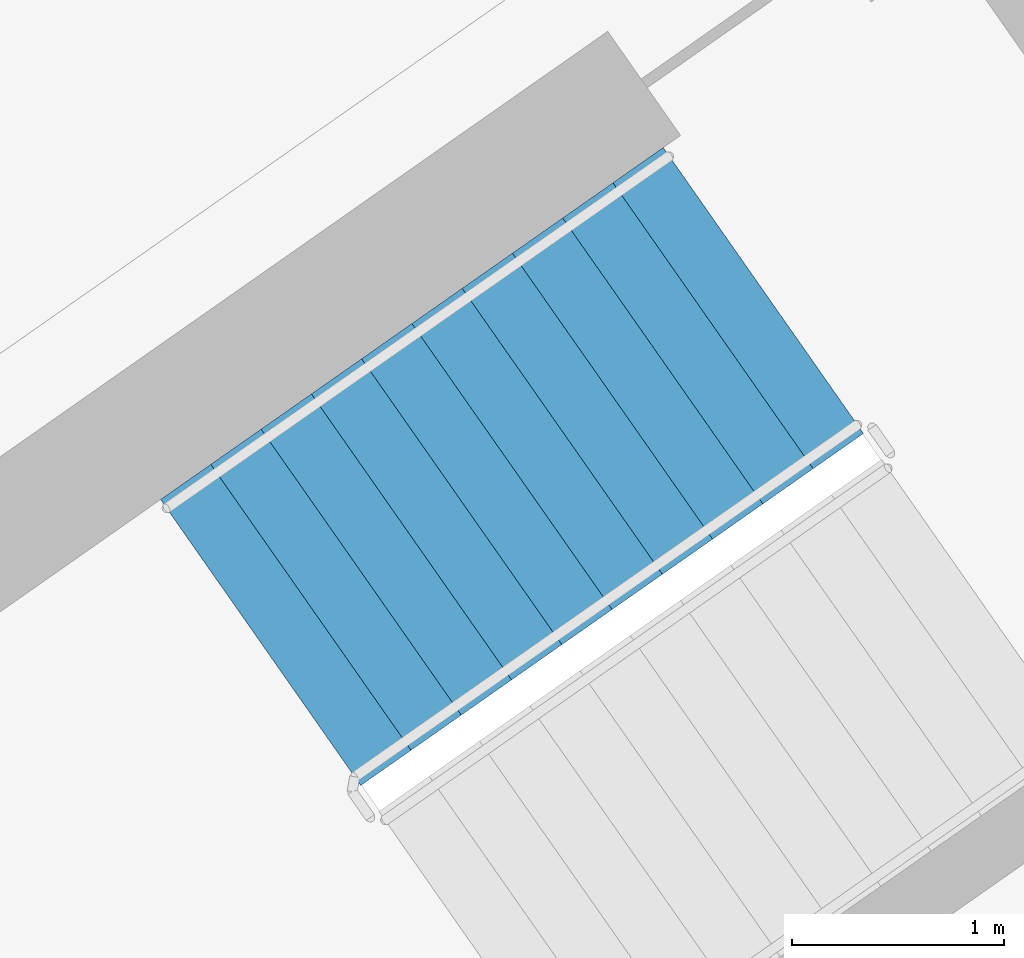
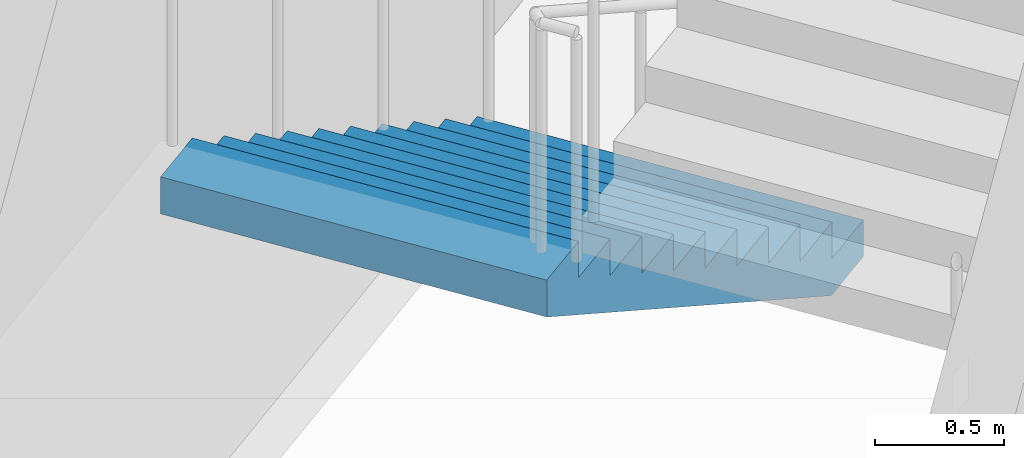
# One storey, part 15 of 27: 1 stair flight, 1 element without a shape of its own.
"""IFC4 building model written with IfcOpenShell, lengths in metres."""

from ifc_helpers import new_model, si_unit, direction, frame, origin, place, context, subcontext, project, spatial, faceted_brep, material, type_object, element, aggregate, save


model = new_model("IFC4")

# Units and contexts
model_context = context("Model", 3, precision=1e-05, world=origin(), true_north=direction((0.0, 1.0)))
body_context = subcontext(model_context, "Body", "Model", "MODEL_VIEW")
ifc_project = project(units=[si_unit("LENGTHUNIT", "METRE"), si_unit("AREAUNIT", "SQUARE_METRE"), si_unit("VOLUMEUNIT", "CUBIC_METRE"), si_unit("PLANEANGLEUNIT", "RADIAN"), si_unit("MASSUNIT", "GRAM", prefix="KILO")], contexts=[model_context])

# Site, building, storey
site_placement = place(None, origin())
site = spatial("IfcSite", under=ifc_project, at=site_placement, CompositionType="ELEMENT")
building_placement = place(site_placement, origin())
building = spatial("IfcBuilding", under=site, at=building_placement, Name="Qamariyya Broadcast Tower", CompositionType="ELEMENT")
storey_placement = place(building_placement, frame((0.0, 0.0, 280.89990234375)))
storey = spatial("IfcBuildingStorey", under=building, at=storey_placement, Name="L68", CompositionType="ELEMENT", Elevation=280.89990234375)

# Stair, stair flight
ifc_material = material(Name="Concrete C50/60", Category="concrete")
stair_type = type_object("IfcStairType", Name="Exit stair 22 risers of 173 mm", PredefinedType="HALF_TURN_STAIR", material=ifc_material)
stair_placement = place(storey_placement, origin())
stair = element("IfcStair", 1, at=stair_placement, inside=storey, type_object=stair_type, Name="L68 Stair E2", PredefinedType="HALF_TURN_STAIR")
stair_flight_type = type_object("IfcStairFlightType", Name="Exit stair flight 11 risers of 173 mm", PredefinedType="STRAIGHT", material=ifc_material)
stair_flight_placement = place(storey_placement, frame((40.558837890625, -47.685302734375, 0.0), z_axis=(0.0, 0.0, 1.0), x_axis=(-0.819152044289, -0.573576436351, 0.0)))
stair_flight = element("IfcStairFlight", 2, at=stair_flight_placement, type_object=stair_flight_type, Name="ST-E2 flight 1", NumberOfRisers=11, NumberOfTreads=10, PredefinedType="STRAIGHT", RiserHeight=0.172727273, TreadLength=0.29, context=body_context, shape_type="Brep", body=[
    faceted_brep([(0.0, 0.824951171875, 0.0), (0.0, 0.824951171875, 0.172607421875), (0.2900390625, 0.824951171875, 0.172607421875), (0.2900390625, 0.824951171875, 0.345458984375), (0.580078125, 0.824951171875, 0.345458984375), (0.580078125, 0.824951171875, 0.51806640625), (0.8701171875, 0.824951171875, 0.51806640625), (0.8701171875, 0.824951171875, 0.69091796875), (1.159912109375, 0.824951171875, 0.69091796875), (1.159912109375, 0.824951171875, 0.863525390625), (1.449951171875, 0.824951171875, 0.863525390625), (1.449951171875, 0.824951171875, 1.036376953125), (1.739990234375, 0.824951171875, 1.036376953125), (1.739990234375, 0.824951171875, 1.208984375), (2.030029296875, 0.824951171875, 1.208984375), (2.030029296875, 0.824951171875, 1.3818359375), (2.320068359375, 0.824951171875, 1.3818359375), (2.320068359375, 0.824951171875, 1.554443359375), (2.610107421875, 0.824951171875, 1.554443359375), (2.610107421875, 0.824951171875, 1.727294921875), (2.89990234375, 0.824951171875, 1.727294921875), (2.89990234375, 0.824951171875, 1.552734375), (0.29296875, 0.824951171875, 0.0), (0.29296875, -0.824951171875, 0.0), (2.89990234375, -0.824951171875, 1.552734375), (2.89990234375, -0.824951171875, 1.727294921875), (2.610107421875, -0.824951171875, 1.727294921875), (2.610107421875, -0.824951171875, 1.554443359375), (2.320068359375, -0.824951171875, 1.554443359375), (2.320068359375, -0.824951171875, 1.3818359375), (2.030029296875, -0.824951171875, 1.3818359375), (2.030029296875, -0.824951171875, 1.208984375), (1.739990234375, -0.824951171875, 1.208984375), (1.739990234375, -0.824951171875, 1.036376953125), (1.449951171875, -0.824951171875, 1.036376953125), (1.449951171875, -0.824951171875, 0.863525390625), (1.159912109375, -0.824951171875, 0.863525390625), (1.159912109375, -0.824951171875, 0.69091796875), (0.8701171875, -0.824951171875, 0.69091796875), (0.8701171875, -0.824951171875, 0.51806640625), (0.580078125, -0.824951171875, 0.51806640625), (0.580078125, -0.824951171875, 0.345458984375), (0.2900390625, -0.824951171875, 0.345458984375), (0.2900390625, -0.824951171875, 0.172607421875), (0.0, -0.824951171875, 0.172607421875), (0.0, -0.824951171875, 0.0), (0.0, 0.10009765625, 0.0), (0.0, 0.086669921875, 0.0), (0.0, 0.0732421875, 0.0), (0.0, 0.06005859375, 0.0), (0.0, 0.046630859375, 0.0), (0.0, 0.033447265625, 0.0), (0.0, 0.02001953125, 0.0), (0.0, 0.006591796875, 0.0), (0.0, -0.006591796875, 0.0), (0.0, -0.02001953125, 0.0), (0.0, -0.033447265625, 0.0), (0.0, -0.046630859375, 0.0), (0.0, -0.06005859375, 0.0), (0.0, -0.0732421875, 0.0), (0.0, -0.086669921875, 0.0), (0.0, -0.10009765625, 0.0), (0.0, -0.10009765625, 0.172607421875), (0.0, -0.086669921875, 0.172607421875), (0.0, -0.0732421875, 0.172607421875), (0.0, -0.06005859375, 0.172607421875), (0.0, -0.046630859375, 0.172607421875), (0.0, -0.033447265625, 0.172607421875), (0.0, -0.02001953125, 0.172607421875), (0.0, -0.006591796875, 0.172607421875), (0.0, 0.006591796875, 0.172607421875), (0.0, 0.02001953125, 0.172607421875), (0.0, 0.033447265625, 0.172607421875), (0.0, 0.046630859375, 0.172607421875), (0.0, 0.06005859375, 0.172607421875), (0.0, 0.0732421875, 0.172607421875), (0.0, 0.086669921875, 0.172607421875), (0.0, 0.10009765625, 0.172607421875), (0.2900390625, -0.10009765625, 0.172607421875), (0.2900390625, -0.086669921875, 0.172607421875), (0.2900390625, -0.0732421875, 0.172607421875), (0.2900390625, -0.06005859375, 0.172607421875), (0.2900390625, -0.046630859375, 0.172607421875), (0.2900390625, -0.033447265625, 0.172607421875), (0.2900390625, -0.02001953125, 0.172607421875), (0.2900390625, -0.006591796875, 0.172607421875), (0.2900390625, 0.006591796875, 0.172607421875), (0.2900390625, 0.02001953125, 0.172607421875), (0.2900390625, 0.033447265625, 0.172607421875), (0.2900390625, 0.046630859375, 0.172607421875), (0.2900390625, 0.06005859375, 0.172607421875), (0.2900390625, 0.0732421875, 0.172607421875), (0.2900390625, 0.086669921875, 0.172607421875), (0.2900390625, 0.10009765625, 0.172607421875), (0.2900390625, -0.10009765625, 0.345458984375), (0.2900390625, -0.086669921875, 0.345458984375), (0.2900390625, -0.0732421875, 0.345458984375), (0.2900390625, -0.06005859375, 0.345458984375), (0.2900390625, -0.046630859375, 0.345458984375), (0.2900390625, -0.033447265625, 0.345458984375), (0.2900390625, -0.02001953125, 0.345458984375), (0.2900390625, -0.006591796875, 0.345458984375), (0.2900390625, 0.006591796875, 0.345458984375), (0.2900390625, 0.02001953125, 0.345458984375), (0.2900390625, 0.033447265625, 0.345458984375), (0.2900390625, 0.046630859375, 0.345458984375), (0.2900390625, 0.06005859375, 0.345458984375), (0.2900390625, 0.0732421875, 0.345458984375), (0.2900390625, 0.086669921875, 0.345458984375), (0.2900390625, 0.10009765625, 0.345458984375), (0.580078125, -0.10009765625, 0.345458984375), (0.580078125, -0.086669921875, 0.345458984375), (0.580078125, -0.0732421875, 0.345458984375), (0.580078125, -0.06005859375, 0.345458984375), (0.580078125, -0.046630859375, 0.345458984375), (0.580078125, -0.033447265625, 0.345458984375), (0.580078125, -0.02001953125, 0.345458984375), (0.580078125, -0.006591796875, 0.345458984375), (0.580078125, 0.006591796875, 0.345458984375), (0.580078125, 0.02001953125, 0.345458984375), (0.580078125, 0.033447265625, 0.345458984375), (0.580078125, 0.046630859375, 0.345458984375), (0.580078125, 0.06005859375, 0.345458984375), (0.580078125, 0.0732421875, 0.345458984375), (0.580078125, 0.086669921875, 0.345458984375), (0.580078125, 0.10009765625, 0.345458984375), (0.580078125, -0.10009765625, 0.51806640625), (0.580078125, -0.086669921875, 0.51806640625), (0.580078125, -0.0732421875, 0.51806640625), (0.580078125, -0.06005859375, 0.51806640625), (0.580078125, -0.046630859375, 0.51806640625), (0.580078125, -0.033447265625, 0.51806640625), (0.580078125, -0.02001953125, 0.51806640625), (0.580078125, -0.006591796875, 0.51806640625), (0.580078125, 0.006591796875, 0.51806640625), (0.580078125, 0.02001953125, 0.51806640625), (0.580078125, 0.033447265625, 0.51806640625), (0.580078125, 0.046630859375, 0.51806640625), (0.580078125, 0.06005859375, 0.51806640625), (0.580078125, 0.0732421875, 0.51806640625), (0.580078125, 0.086669921875, 0.51806640625), (0.580078125, 0.10009765625, 0.51806640625), (0.8701171875, -0.10009765625, 0.51806640625), (0.8701171875, -0.086669921875, 0.51806640625), (0.8701171875, -0.0732421875, 0.51806640625), (0.8701171875, -0.06005859375, 0.51806640625), (0.8701171875, -0.046630859375, 0.51806640625), (0.8701171875, -0.033447265625, 0.51806640625), (0.8701171875, -0.02001953125, 0.51806640625), (0.8701171875, -0.006591796875, 0.51806640625), (0.8701171875, 0.006591796875, 0.51806640625), (0.8701171875, 0.02001953125, 0.51806640625), (0.8701171875, 0.033447265625, 0.51806640625), (0.8701171875, 0.046630859375, 0.51806640625), (0.8701171875, 0.06005859375, 0.51806640625), (0.8701171875, 0.0732421875, 0.51806640625), (0.8701171875, 0.086669921875, 0.51806640625), (0.8701171875, 0.10009765625, 0.51806640625), (0.8701171875, -0.10009765625, 0.69091796875), (0.8701171875, -0.086669921875, 0.69091796875), (0.8701171875, -0.0732421875, 0.69091796875), (0.8701171875, -0.06005859375, 0.69091796875), (0.8701171875, -0.046630859375, 0.69091796875), (0.8701171875, -0.033447265625, 0.69091796875), (0.8701171875, -0.02001953125, 0.69091796875), (0.8701171875, -0.006591796875, 0.69091796875), (0.8701171875, 0.006591796875, 0.69091796875), (0.8701171875, 0.02001953125, 0.69091796875), (0.8701171875, 0.033447265625, 0.69091796875), (0.8701171875, 0.046630859375, 0.69091796875), (0.8701171875, 0.06005859375, 0.69091796875), (0.8701171875, 0.0732421875, 0.69091796875), (0.8701171875, 0.086669921875, 0.69091796875), (0.8701171875, 0.10009765625, 0.69091796875), (1.159912109375, -0.10009765625, 0.69091796875), (1.159912109375, -0.086669921875, 0.69091796875), (1.159912109375, -0.0732421875, 0.69091796875), (1.159912109375, -0.06005859375, 0.69091796875), (1.159912109375, -0.046630859375, 0.69091796875), (1.159912109375, -0.033447265625, 0.69091796875), (1.159912109375, -0.02001953125, 0.69091796875), (1.159912109375, -0.006591796875, 0.69091796875), (1.159912109375, 0.006591796875, 0.69091796875), (1.159912109375, 0.02001953125, 0.69091796875), (1.159912109375, 0.033447265625, 0.69091796875), (1.159912109375, 0.046630859375, 0.69091796875), (1.159912109375, 0.06005859375, 0.69091796875), (1.159912109375, 0.0732421875, 0.69091796875), (1.159912109375, 0.086669921875, 0.69091796875), (1.159912109375, 0.10009765625, 0.69091796875), (1.159912109375, -0.10009765625, 0.863525390625), (1.159912109375, -0.086669921875, 0.863525390625), (1.159912109375, -0.0732421875, 0.863525390625), (1.159912109375, -0.06005859375, 0.863525390625), (1.159912109375, -0.046630859375, 0.863525390625), (1.159912109375, -0.033447265625, 0.863525390625), (1.159912109375, -0.02001953125, 0.863525390625), (1.159912109375, -0.006591796875, 0.863525390625), (1.159912109375, 0.006591796875, 0.863525390625), (1.159912109375, 0.02001953125, 0.863525390625), (1.159912109375, 0.033447265625, 0.863525390625), (1.159912109375, 0.046630859375, 0.863525390625), (1.159912109375, 0.06005859375, 0.863525390625), (1.159912109375, 0.0732421875, 0.863525390625), (1.159912109375, 0.086669921875, 0.863525390625), (1.159912109375, 0.10009765625, 0.863525390625), (1.449951171875, -0.10009765625, 0.863525390625), (1.449951171875, -0.086669921875, 0.863525390625), (1.449951171875, -0.0732421875, 0.863525390625), (1.449951171875, -0.06005859375, 0.863525390625), (1.449951171875, -0.046630859375, 0.863525390625), (1.449951171875, -0.033447265625, 0.863525390625), (1.449951171875, -0.02001953125, 0.863525390625), (1.449951171875, -0.006591796875, 0.863525390625), (1.449951171875, 0.006591796875, 0.863525390625), (1.449951171875, 0.02001953125, 0.863525390625), (1.449951171875, 0.033447265625, 0.863525390625), (1.449951171875, 0.046630859375, 0.863525390625), (1.449951171875, 0.06005859375, 0.863525390625), (1.449951171875, 0.0732421875, 0.863525390625), (1.449951171875, 0.086669921875, 0.863525390625), (1.449951171875, 0.10009765625, 0.863525390625), (1.449951171875, -0.10009765625, 1.036376953125), (1.449951171875, -0.086669921875, 1.036376953125), (1.449951171875, -0.0732421875, 1.036376953125), (1.449951171875, -0.06005859375, 1.036376953125), (1.449951171875, -0.046630859375, 1.036376953125), (1.449951171875, -0.033447265625, 1.036376953125), (1.449951171875, -0.02001953125, 1.036376953125), (1.449951171875, -0.006591796875, 1.036376953125), (1.449951171875, 0.006591796875, 1.036376953125), (1.449951171875, 0.02001953125, 1.036376953125), (1.449951171875, 0.033447265625, 1.036376953125), (1.449951171875, 0.046630859375, 1.036376953125), (1.449951171875, 0.06005859375, 1.036376953125), (1.449951171875, 0.0732421875, 1.036376953125), (1.449951171875, 0.086669921875, 1.036376953125), (1.449951171875, 0.10009765625, 1.036376953125), (1.739990234375, -0.10009765625, 1.036376953125), (1.739990234375, -0.086669921875, 1.036376953125), (1.739990234375, -0.0732421875, 1.036376953125), (1.739990234375, -0.06005859375, 1.036376953125), (1.739990234375, -0.046630859375, 1.036376953125), (1.739990234375, -0.033447265625, 1.036376953125), (1.739990234375, -0.02001953125, 1.036376953125), (1.739990234375, -0.006591796875, 1.036376953125), (1.739990234375, 0.006591796875, 1.036376953125), (1.739990234375, 0.02001953125, 1.036376953125), (1.739990234375, 0.033447265625, 1.036376953125), (1.739990234375, 0.046630859375, 1.036376953125), (1.739990234375, 0.06005859375, 1.036376953125), (1.739990234375, 0.0732421875, 1.036376953125), (1.739990234375, 0.086669921875, 1.036376953125), (1.739990234375, 0.10009765625, 1.036376953125), (1.739990234375, -0.10009765625, 1.208984375), (1.739990234375, -0.086669921875, 1.208984375), (1.739990234375, -0.0732421875, 1.208984375), (1.739990234375, -0.06005859375, 1.208984375), (1.739990234375, -0.046630859375, 1.208984375), (1.739990234375, -0.033447265625, 1.208984375), (1.739990234375, -0.02001953125, 1.208984375), (1.739990234375, -0.006591796875, 1.208984375), (1.739990234375, 0.006591796875, 1.208984375), (1.739990234375, 0.02001953125, 1.208984375), (1.739990234375, 0.033447265625, 1.208984375), (1.739990234375, 0.046630859375, 1.208984375), (1.739990234375, 0.06005859375, 1.208984375), (1.739990234375, 0.0732421875, 1.208984375), (1.739990234375, 0.086669921875, 1.208984375), (1.739990234375, 0.10009765625, 1.208984375), (2.030029296875, -0.10009765625, 1.208984375), (2.030029296875, -0.086669921875, 1.208984375), (2.030029296875, -0.0732421875, 1.208984375), (2.030029296875, -0.06005859375, 1.208984375), (2.030029296875, -0.046630859375, 1.208984375), (2.030029296875, -0.033447265625, 1.208984375), (2.030029296875, -0.02001953125, 1.208984375), (2.030029296875, -0.006591796875, 1.208984375), (2.030029296875, 0.006591796875, 1.208984375), (2.030029296875, 0.02001953125, 1.208984375), (2.030029296875, 0.033447265625, 1.208984375), (2.030029296875, 0.046630859375, 1.208984375), (2.030029296875, 0.06005859375, 1.208984375), (2.030029296875, 0.0732421875, 1.208984375), (2.030029296875, 0.086669921875, 1.208984375), (2.030029296875, 0.10009765625, 1.208984375), (2.030029296875, -0.10009765625, 1.3818359375), (2.030029296875, -0.086669921875, 1.3818359375), (2.030029296875, -0.0732421875, 1.3818359375), (2.030029296875, -0.06005859375, 1.3818359375), (2.030029296875, -0.046630859375, 1.3818359375), (2.030029296875, -0.033447265625, 1.3818359375), (2.030029296875, -0.02001953125, 1.3818359375), (2.030029296875, -0.006591796875, 1.3818359375), (2.030029296875, 0.006591796875, 1.3818359375), (2.030029296875, 0.02001953125, 1.3818359375), (2.030029296875, 0.033447265625, 1.3818359375), (2.030029296875, 0.046630859375, 1.3818359375), (2.030029296875, 0.06005859375, 1.3818359375), (2.030029296875, 0.0732421875, 1.3818359375), (2.030029296875, 0.086669921875, 1.3818359375), (2.030029296875, 0.10009765625, 1.3818359375), (2.320068359375, -0.10009765625, 1.3818359375), (2.320068359375, -0.086669921875, 1.3818359375), (2.320068359375, -0.0732421875, 1.3818359375), (2.320068359375, -0.06005859375, 1.3818359375), (2.320068359375, -0.046630859375, 1.3818359375), (2.320068359375, -0.033447265625, 1.3818359375), (2.320068359375, -0.02001953125, 1.3818359375), (2.320068359375, -0.006591796875, 1.3818359375), (2.320068359375, 0.006591796875, 1.3818359375), (2.320068359375, 0.02001953125, 1.3818359375), (2.320068359375, 0.033447265625, 1.3818359375), (2.320068359375, 0.046630859375, 1.3818359375), (2.320068359375, 0.06005859375, 1.3818359375), (2.320068359375, 0.0732421875, 1.3818359375), (2.320068359375, 0.086669921875, 1.3818359375), (2.320068359375, 0.10009765625, 1.3818359375), (2.320068359375, -0.10009765625, 1.554443359375), (2.320068359375, -0.086669921875, 1.554443359375), (2.320068359375, -0.0732421875, 1.554443359375), (2.320068359375, -0.06005859375, 1.554443359375), (2.320068359375, -0.046630859375, 1.554443359375), (2.320068359375, -0.033447265625, 1.554443359375), (2.320068359375, -0.02001953125, 1.554443359375), (2.320068359375, -0.006591796875, 1.554443359375), (2.320068359375, 0.006591796875, 1.554443359375), (2.320068359375, 0.02001953125, 1.554443359375), (2.320068359375, 0.033447265625, 1.554443359375), (2.320068359375, 0.046630859375, 1.554443359375), (2.320068359375, 0.06005859375, 1.554443359375), (2.320068359375, 0.0732421875, 1.554443359375), (2.320068359375, 0.086669921875, 1.554443359375), (2.320068359375, 0.10009765625, 1.554443359375), (2.610107421875, -0.10009765625, 1.554443359375), (2.610107421875, -0.086669921875, 1.554443359375), (2.610107421875, -0.0732421875, 1.554443359375), (2.610107421875, -0.06005859375, 1.554443359375), (2.610107421875, -0.046630859375, 1.554443359375), (2.610107421875, -0.033447265625, 1.554443359375), (2.610107421875, -0.02001953125, 1.554443359375), (2.610107421875, -0.006591796875, 1.554443359375), (2.610107421875, 0.006591796875, 1.554443359375), (2.610107421875, 0.02001953125, 1.554443359375), (2.610107421875, 0.033447265625, 1.554443359375), (2.610107421875, 0.046630859375, 1.554443359375), (2.610107421875, 0.06005859375, 1.554443359375), (2.610107421875, 0.0732421875, 1.554443359375), (2.610107421875, 0.086669921875, 1.554443359375), (2.610107421875, 0.10009765625, 1.554443359375), (2.610107421875, -0.10009765625, 1.727294921875), (2.610107421875, -0.086669921875, 1.727294921875), (2.610107421875, -0.0732421875, 1.727294921875), (2.610107421875, -0.06005859375, 1.727294921875), (2.610107421875, -0.046630859375, 1.727294921875), (2.610107421875, -0.033447265625, 1.727294921875), (2.610107421875, -0.02001953125, 1.727294921875), (2.610107421875, -0.006591796875, 1.727294921875), (2.610107421875, 0.006591796875, 1.727294921875), (2.610107421875, 0.02001953125, 1.727294921875), (2.610107421875, 0.033447265625, 1.727294921875), (2.610107421875, 0.046630859375, 1.727294921875), (2.610107421875, 0.06005859375, 1.727294921875), (2.610107421875, 0.0732421875, 1.727294921875), (2.610107421875, 0.086669921875, 1.727294921875), (2.610107421875, 0.10009765625, 1.727294921875), (2.89990234375, -0.10009765625, 1.727294921875), (2.89990234375, -0.086669921875, 1.727294921875), (2.89990234375, -0.0732421875, 1.727294921875), (2.89990234375, -0.06005859375, 1.727294921875), (2.89990234375, -0.046630859375, 1.727294921875), (2.89990234375, -0.033447265625, 1.727294921875), (2.89990234375, -0.02001953125, 1.727294921875), (2.89990234375, -0.006591796875, 1.727294921875), (2.89990234375, 0.006591796875, 1.727294921875), (2.89990234375, 0.02001953125, 1.727294921875), (2.89990234375, 0.033447265625, 1.727294921875), (2.89990234375, 0.046630859375, 1.727294921875), (2.89990234375, 0.06005859375, 1.727294921875), (2.89990234375, 0.0732421875, 1.727294921875), (2.89990234375, 0.086669921875, 1.727294921875), (2.89990234375, 0.10009765625, 1.727294921875), (2.89990234375, -0.10009765625, 1.552734375), (2.89990234375, -0.086669921875, 1.552734375), (2.89990234375, -0.0732421875, 1.552734375), (2.89990234375, -0.06005859375, 1.552734375), (2.89990234375, -0.046630859375, 1.552734375), (2.89990234375, -0.033447265625, 1.552734375), (2.89990234375, -0.02001953125, 1.552734375), (2.89990234375, -0.006591796875, 1.552734375), (2.89990234375, 0.006591796875, 1.552734375), (2.89990234375, 0.02001953125, 1.552734375), (2.89990234375, 0.033447265625, 1.552734375), (2.89990234375, 0.046630859375, 1.552734375), (2.89990234375, 0.06005859375, 1.552734375), (2.89990234375, 0.0732421875, 1.552734375), (2.89990234375, 0.086669921875, 1.552734375), (2.89990234375, 0.10009765625, 1.552734375), (0.29296875, -0.10009765625, 0.0), (0.29296875, -0.086669921875, 0.0), (0.29296875, -0.0732421875, 0.0), (0.29296875, -0.06005859375, 0.0), (0.29296875, -0.046630859375, 0.0), (0.29296875, -0.033447265625, 0.0), (0.29296875, -0.02001953125, 0.0), (0.29296875, -0.006591796875, 0.0), (0.29296875, 0.006591796875, 0.0), (0.29296875, 0.02001953125, 0.0), (0.29296875, 0.033447265625, 0.0), (0.29296875, 0.046630859375, 0.0), (0.29296875, 0.06005859375, 0.0), (0.29296875, 0.0732421875, 0.0), (0.29296875, 0.086669921875, 0.0), (0.29296875, 0.10009765625, 0.0)], [[[0, 1, 2, 3, 4, 5, 6, 7, 8, 9, 10, 11, 12, 13, 14, 15, 16, 17, 18, 19, 20, 21, 22]], [[23, 24, 25, 26, 27, 28, 29, 30, 31, 32, 33, 34, 35, 36, 37, 38, 39, 40, 41, 42, 43, 44, 45]], [[0, 46, 47, 48, 49, 50, 51, 52, 53, 54, 55, 56, 57, 58, 59, 60, 61, 45, 44, 62, 63, 64, 65, 66, 67, 68, 69, 70, 71, 72, 73, 74, 75, 76, 77, 1]], [[1, 77, 76, 75, 74, 73, 72, 71, 70, 69, 68, 67, 66, 65, 64, 63, 62, 44, 43, 78, 79, 80, 81, 82, 83, 84, 85, 86, 87, 88, 89, 90, 91, 92, 93, 2]], [[2, 93, 92, 91, 90, 89, 88, 87, 86, 85, 84, 83, 82, 81, 80, 79, 78, 43, 42, 94, 95, 96, 97, 98, 99, 100, 101, 102, 103, 104, 105, 106, 107, 108, 109, 3]], [[3, 109, 108, 107, 106, 105, 104, 103, 102, 101, 100, 99, 98, 97, 96, 95, 94, 42, 41, 110, 111, 112, 113, 114, 115, 116, 117, 118, 119, 120, 121, 122, 123, 124, 125, 4]], [[4, 125, 124, 123, 122, 121, 120, 119, 118, 117, 116, 115, 114, 113, 112, 111, 110, 41, 40, 126, 127, 128, 129, 130, 131, 132, 133, 134, 135, 136, 137, 138, 139, 140, 141, 5]], [[5, 141, 140, 139, 138, 137, 136, 135, 134, 133, 132, 131, 130, 129, 128, 127, 126, 40, 39, 142, 143, 144, 145, 146, 147, 148, 149, 150, 151, 152, 153, 154, 155, 156, 157, 6]], [[6, 157, 156, 155, 154, 153, 152, 151, 150, 149, 148, 147, 146, 145, 144, 143, 142, 39, 38, 158, 159, 160, 161, 162, 163, 164, 165, 166, 167, 168, 169, 170, 171, 172, 173, 7]], [[7, 173, 172, 171, 170, 169, 168, 167, 166, 165, 164, 163, 162, 161, 160, 159, 158, 38, 37, 174, 175, 176, 177, 178, 179, 180, 181, 182, 183, 184, 185, 186, 187, 188, 189, 8]], [[8, 189, 188, 187, 186, 185, 184, 183, 182, 181, 180, 179, 178, 177, 176, 175, 174, 37, 36, 190, 191, 192, 193, 194, 195, 196, 197, 198, 199, 200, 201, 202, 203, 204, 205, 9]], [[9, 205, 204, 203, 202, 201, 200, 199, 198, 197, 196, 195, 194, 193, 192, 191, 190, 36, 35, 206, 207, 208, 209, 210, 211, 212, 213, 214, 215, 216, 217, 218, 219, 220, 221, 10]], [[10, 221, 220, 219, 218, 217, 216, 215, 214, 213, 212, 211, 210, 209, 208, 207, 206, 35, 34, 222, 223, 224, 225, 226, 227, 228, 229, 230, 231, 232, 233, 234, 235, 236, 237, 11]], [[11, 237, 236, 235, 234, 233, 232, 231, 230, 229, 228, 227, 226, 225, 224, 223, 222, 34, 33, 238, 239, 240, 241, 242, 243, 244, 245, 246, 247, 248, 249, 250, 251, 252, 253, 12]], [[12, 253, 252, 251, 250, 249, 248, 247, 246, 245, 244, 243, 242, 241, 240, 239, 238, 33, 32, 254, 255, 256, 257, 258, 259, 260, 261, 262, 263, 264, 265, 266, 267, 268, 269, 13]], [[13, 269, 268, 267, 266, 265, 264, 263, 262, 261, 260, 259, 258, 257, 256, 255, 254, 32, 31, 270, 271, 272, 273, 274, 275, 276, 277, 278, 279, 280, 281, 282, 283, 284, 285, 14]], [[14, 285, 284, 283, 282, 281, 280, 279, 278, 277, 276, 275, 274, 273, 272, 271, 270, 31, 30, 286, 287, 288, 289, 290, 291, 292, 293, 294, 295, 296, 297, 298, 299, 300, 301, 15]], [[15, 301, 300, 299, 298, 297, 296, 295, 294, 293, 292, 291, 290, 289, 288, 287, 286, 30, 29, 302, 303, 304, 305, 306, 307, 308, 309, 310, 311, 312, 313, 314, 315, 316, 317, 16]], [[16, 317, 316, 315, 314, 313, 312, 311, 310, 309, 308, 307, 306, 305, 304, 303, 302, 29, 28, 318, 319, 320, 321, 322, 323, 324, 325, 326, 327, 328, 329, 330, 331, 332, 333, 17]], [[17, 333, 332, 331, 330, 329, 328, 327, 326, 325, 324, 323, 322, 321, 320, 319, 318, 28, 27, 334, 335, 336, 337, 338, 339, 340, 341, 342, 343, 344, 345, 346, 347, 348, 349, 18]], [[18, 349, 348, 347, 346, 345, 344, 343, 342, 341, 340, 339, 338, 337, 336, 335, 334, 27, 26, 350, 351, 352, 353, 354, 355, 356, 357, 358, 359, 360, 361, 362, 363, 364, 365, 19]], [[19, 365, 364, 363, 362, 361, 360, 359, 358, 357, 356, 355, 354, 353, 352, 351, 350, 26, 25, 366, 367, 368, 369, 370, 371, 372, 373, 374, 375, 376, 377, 378, 379, 380, 381, 20]], [[20, 381, 380, 379, 378, 377, 376, 375, 374, 373, 372, 371, 370, 369, 368, 367, 366, 25, 24, 382, 383, 384, 385, 386, 387, 388, 389, 390, 391, 392, 393, 394, 395, 396, 397, 21]], [[21, 397, 396, 395, 394, 393, 392, 391, 390, 389, 388, 387, 386, 385, 384, 383, 382, 24, 23, 398, 399, 400, 401, 402, 403, 404, 405, 406, 407, 408, 409, 410, 411, 412, 413, 22]], [[22, 413, 412, 411, 410, 409, 408, 407, 406, 405, 404, 403, 402, 401, 400, 399, 398, 23, 45, 61, 60, 59, 58, 57, 56, 55, 54, 53, 52, 51, 50, 49, 48, 47, 46, 0]]]),
])
aggregate(stair, [stair_flight])

save(model, "model.ifc")
